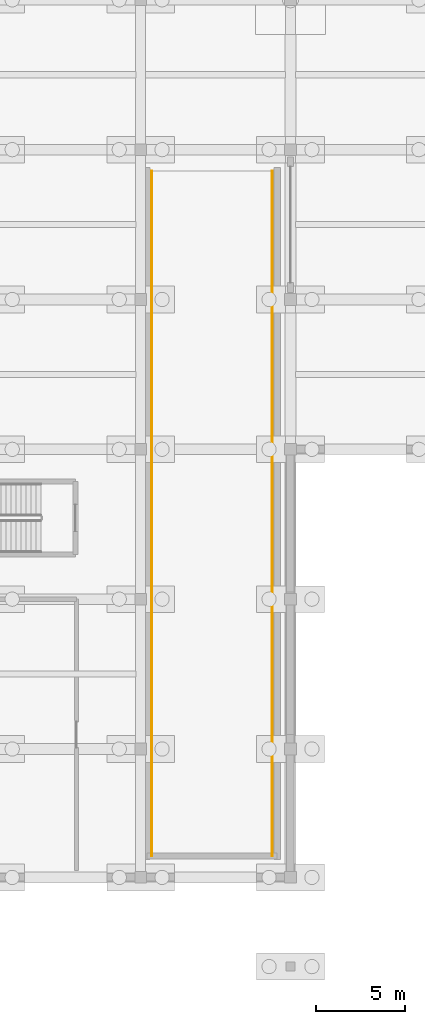
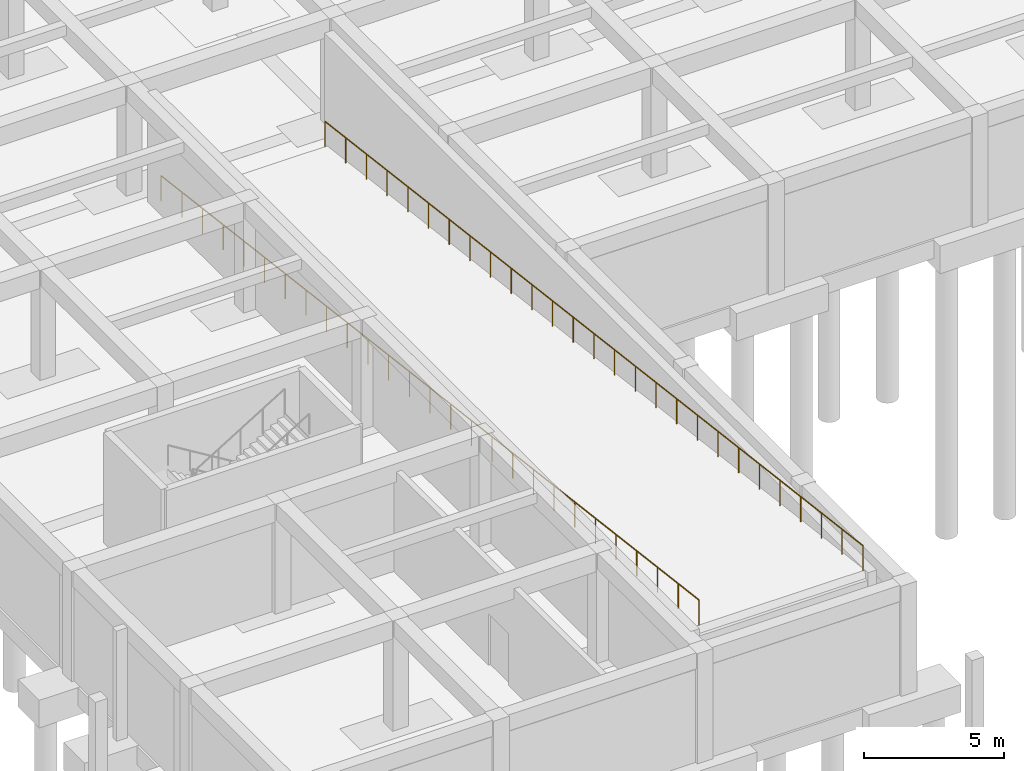
# One storey, part 35 of 51: 2 railings.
"""IFC4 building model written with IfcOpenShell, lengths in metres."""

from ifc_helpers import new_model, si_unit, direction, frame, origin, origin_2d, place, context, subcontext, project, spatial, circle, extrude, material, type_object, element, save


model = new_model("IFC4")

# Units and contexts
model_context = context("Model", 3, precision=1e-05, world=origin(), true_north=direction((0.0, 1.0)))
body_context = subcontext(model_context, "Body", "Model", "MODEL_VIEW")
ifc_project = project(units=[si_unit("LENGTHUNIT", "METRE"), si_unit("AREAUNIT", "SQUARE_METRE"), si_unit("VOLUMEUNIT", "CUBIC_METRE"), si_unit("PLANEANGLEUNIT", "RADIAN"), si_unit("MASSUNIT", "GRAM", prefix="KILO")], contexts=[model_context])

# Site, building, storey
site_placement = place(None, origin())
site = spatial("IfcSite", under=ifc_project, at=site_placement, CompositionType="ELEMENT")
building_placement = place(site_placement, origin())
building = spatial("IfcBuilding", under=site, at=building_placement, Name="Varncliffe General Hospital", CompositionType="ELEMENT")
storey_placement = place(building_placement, frame((0.0, 0.0, -4.800048828125)))
storey = spatial("IfcBuildingStorey", under=building, at=storey_placement, Name="B1", CompositionType="ELEMENT", Elevation=-4.800048828125)

# Railings
ifc_material = material(Name="Powder-coated hospital steel guardrail and handrail", Category="steel")
railing_type = type_object("IfcRailingType", Name="Stairwell Guardrail SG49", PredefinedType="GUARDRAIL", material=ifc_material)
railing_1_placement = place(storey_placement, frame((17.419921875, 39.60009765625, 0.0)))
element("IfcRailing", 1, at=railing_1_placement, inside=storey, type_object=railing_type, Name="B1 Vehicle Ramp West Wheel-Guard Rail", PredefinedType="GUARDRAIL", context=body_context, shape_type="SweptSolid", body=[
    extrude(circle(Radius=0.02392578125, at=origin_2d()), frame((0.0, 0.0, 1.09619140625), z_axis=(0.0, -0.992277779656, 0.124035511046), x_axis=(1.0, 0.0, 0.0)), (0.0, 0.0, 1.0), 38.698974609375),
    extrude(circle(Radius=0.02099609375, at=origin_2d()), origin(), (0.0, 0.0, 1.0), 1.072021484375),
    extrude(circle(Radius=0.02099609375, at=origin_2d()), frame((0.0, -1.47705078125, 0.1845703125)), (0.0, 0.0, 1.0), 1.072021484375),
    extrude(circle(Radius=0.02099609375, at=origin_2d()), frame((0.0, -2.953857421875, 0.369140625)), (0.0, 0.0, 1.0), 1.072021484375),
    extrude(circle(Radius=0.02099609375, at=origin_2d()), frame((0.0, -4.4306640625, 0.553955078125)), (0.0, 0.0, 1.0), 1.072021484375),
    extrude(circle(Radius=0.02099609375, at=origin_2d()), frame((0.0, -5.90771484375, 0.738525390625)), (0.0, 0.0, 1.0), 1.072021484375),
    extrude(circle(Radius=0.02099609375, at=origin_2d()), frame((0.0, -7.384765625, 0.923095703125)), (0.0, 0.0, 1.0), 1.072021484375),
    extrude(circle(Radius=0.02099609375, at=origin_2d()), frame((0.0, -8.861572265625, 1.107666015625)), (0.0, 0.0, 1.0), 1.072021484375),
    extrude(circle(Radius=0.02099609375, at=origin_2d()), frame((0.0, -10.33837890625, 1.292236328125)), (0.0, 0.0, 1.0), 1.072021484375),
    extrude(circle(Radius=0.02099609375, at=origin_2d()), frame((0.0, -11.8154296875, 1.47705078125)), (0.0, 0.0, 1.0), 1.072021484375),
    extrude(circle(Radius=0.02099609375, at=origin_2d()), frame((0.0, -13.29248046875, 1.66162109375)), (0.0, 0.0, 1.0), 1.072021484375),
    extrude(circle(Radius=0.02099609375, at=origin_2d()), frame((0.0, -14.769287109375, 1.84619140625)), (0.0, 0.0, 1.0), 1.072021484375),
    extrude(circle(Radius=0.02099609375, at=origin_2d()), frame((0.0, -16.24609375, 2.03076171875)), (0.0, 0.0, 1.0), 1.072021484375),
    extrude(circle(Radius=0.02099609375, at=origin_2d()), frame((0.0, -17.72314453125, 2.21533203125)), (0.0, 0.0, 1.0), 1.072021484375),
    extrude(circle(Radius=0.02099609375, at=origin_2d()), frame((0.0, -19.2001953125, 2.39990234375)), (0.0, 0.0, 1.0), 1.072021484375),
    extrude(circle(Radius=0.02099609375, at=origin_2d()), frame((0.0, -20.677001953125, 2.584716796875)), (0.0, 0.0, 1.0), 1.072021484375),
    extrude(circle(Radius=0.02099609375, at=origin_2d()), frame((0.0, -22.15380859375, 2.769287109375)), (0.0, 0.0, 1.0), 1.072021484375),
    extrude(circle(Radius=0.02099609375, at=origin_2d()), frame((0.0, -23.630859375, 2.953857421875)), (0.0, 0.0, 1.0), 1.072021484375),
    extrude(circle(Radius=0.02099609375, at=origin_2d()), frame((0.0, -25.10791015625, 3.138427734375)), (0.0, 0.0, 1.0), 1.072021484375),
    extrude(circle(Radius=0.02099609375, at=origin_2d()), frame((0.0, -26.584716796875, 3.322998046875)), (0.0, 0.0, 1.0), 1.072021484375),
    extrude(circle(Radius=0.02099609375, at=origin_2d()), frame((0.0, -28.0615234375, 3.5078125)), (0.0, 0.0, 1.0), 1.072021484375),
    extrude(circle(Radius=0.02099609375, at=origin_2d()), frame((0.0, -29.53857421875, 3.6923828125)), (0.0, 0.0, 1.0), 1.072021484375),
    extrude(circle(Radius=0.02099609375, at=origin_2d()), frame((0.0, -31.015625, 3.876953125)), (0.0, 0.0, 1.0), 1.072021484375),
    extrude(circle(Radius=0.02099609375, at=origin_2d()), frame((0.0, -32.492431640625, 4.0615234375)), (0.0, 0.0, 1.0), 1.072021484375),
    extrude(circle(Radius=0.02099609375, at=origin_2d()), frame((0.0, -33.96923828125, 4.24609375)), (0.0, 0.0, 1.0), 1.072021484375),
    extrude(circle(Radius=0.02099609375, at=origin_2d()), frame((0.0, -35.4462890625, 4.430908203125)), (0.0, 0.0, 1.0), 1.072021484375),
    extrude(circle(Radius=0.02099609375, at=origin_2d()), frame((0.0, -36.92333984375, 4.615478515625)), (0.0, 0.0, 1.0), 1.072021484375),
    extrude(circle(Radius=0.02099609375, at=origin_2d()), frame((0.0, -38.400146484375, 4.800048828125)), (0.0, 0.0, 1.0), 1.072021484375),
])
railing_2_placement = place(storey_placement, frame((24.179931640625, 39.60009765625, 0.0)))
element("IfcRailing", 2, at=railing_2_placement, inside=storey, type_object=railing_type, Name="B1 Vehicle Ramp East Wheel-Guard Rail", PredefinedType="GUARDRAIL", context=body_context, shape_type="SweptSolid", body=[
    extrude(circle(Radius=0.02392578125, at=origin_2d()), frame((0.0, 0.0, 1.09619140625), z_axis=(0.0, -0.992277779656, 0.124035511046), x_axis=(1.0, 0.0, 0.0)), (0.0, 0.0, 1.0), 38.698974609375),
    extrude(circle(Radius=0.02099609375, at=origin_2d()), origin(), (0.0, 0.0, 1.0), 1.072021484375),
    extrude(circle(Radius=0.02099609375, at=origin_2d()), frame((0.0, -1.47705078125, 0.1845703125)), (0.0, 0.0, 1.0), 1.072021484375),
    extrude(circle(Radius=0.02099609375, at=origin_2d()), frame((0.0, -2.953857421875, 0.369140625)), (0.0, 0.0, 1.0), 1.072021484375),
    extrude(circle(Radius=0.02099609375, at=origin_2d()), frame((0.0, -4.4306640625, 0.553955078125)), (0.0, 0.0, 1.0), 1.072021484375),
    extrude(circle(Radius=0.02099609375, at=origin_2d()), frame((0.0, -5.90771484375, 0.738525390625)), (0.0, 0.0, 1.0), 1.072021484375),
    extrude(circle(Radius=0.02099609375, at=origin_2d()), frame((0.0, -7.384765625, 0.923095703125)), (0.0, 0.0, 1.0), 1.072021484375),
    extrude(circle(Radius=0.02099609375, at=origin_2d()), frame((0.0, -8.861572265625, 1.107666015625)), (0.0, 0.0, 1.0), 1.072021484375),
    extrude(circle(Radius=0.02099609375, at=origin_2d()), frame((0.0, -10.33837890625, 1.292236328125)), (0.0, 0.0, 1.0), 1.072021484375),
    extrude(circle(Radius=0.02099609375, at=origin_2d()), frame((0.0, -11.8154296875, 1.47705078125)), (0.0, 0.0, 1.0), 1.072021484375),
    extrude(circle(Radius=0.02099609375, at=origin_2d()), frame((0.0, -13.29248046875, 1.66162109375)), (0.0, 0.0, 1.0), 1.072021484375),
    extrude(circle(Radius=0.02099609375, at=origin_2d()), frame((0.0, -14.769287109375, 1.84619140625)), (0.0, 0.0, 1.0), 1.072021484375),
    extrude(circle(Radius=0.02099609375, at=origin_2d()), frame((0.0, -16.24609375, 2.03076171875)), (0.0, 0.0, 1.0), 1.072021484375),
    extrude(circle(Radius=0.02099609375, at=origin_2d()), frame((0.0, -17.72314453125, 2.21533203125)), (0.0, 0.0, 1.0), 1.072021484375),
    extrude(circle(Radius=0.02099609375, at=origin_2d()), frame((0.0, -19.2001953125, 2.39990234375)), (0.0, 0.0, 1.0), 1.072021484375),
    extrude(circle(Radius=0.02099609375, at=origin_2d()), frame((0.0, -20.677001953125, 2.584716796875)), (0.0, 0.0, 1.0), 1.072021484375),
    extrude(circle(Radius=0.02099609375, at=origin_2d()), frame((0.0, -22.15380859375, 2.769287109375)), (0.0, 0.0, 1.0), 1.072021484375),
    extrude(circle(Radius=0.02099609375, at=origin_2d()), frame((0.0, -23.630859375, 2.953857421875)), (0.0, 0.0, 1.0), 1.072021484375),
    extrude(circle(Radius=0.02099609375, at=origin_2d()), frame((0.0, -25.10791015625, 3.138427734375)), (0.0, 0.0, 1.0), 1.072021484375),
    extrude(circle(Radius=0.02099609375, at=origin_2d()), frame((0.0, -26.584716796875, 3.322998046875)), (0.0, 0.0, 1.0), 1.072021484375),
    extrude(circle(Radius=0.02099609375, at=origin_2d()), frame((0.0, -28.0615234375, 3.5078125)), (0.0, 0.0, 1.0), 1.072021484375),
    extrude(circle(Radius=0.02099609375, at=origin_2d()), frame((0.0, -29.53857421875, 3.6923828125)), (0.0, 0.0, 1.0), 1.072021484375),
    extrude(circle(Radius=0.02099609375, at=origin_2d()), frame((0.0, -31.015625, 3.876953125)), (0.0, 0.0, 1.0), 1.072021484375),
    extrude(circle(Radius=0.02099609375, at=origin_2d()), frame((0.0, -32.492431640625, 4.0615234375)), (0.0, 0.0, 1.0), 1.072021484375),
    extrude(circle(Radius=0.02099609375, at=origin_2d()), frame((0.0, -33.96923828125, 4.24609375)), (0.0, 0.0, 1.0), 1.072021484375),
    extrude(circle(Radius=0.02099609375, at=origin_2d()), frame((0.0, -35.4462890625, 4.430908203125)), (0.0, 0.0, 1.0), 1.072021484375),
    extrude(circle(Radius=0.02099609375, at=origin_2d()), frame((0.0, -36.92333984375, 4.615478515625)), (0.0, 0.0, 1.0), 1.072021484375),
    extrude(circle(Radius=0.02099609375, at=origin_2d()), frame((0.0, -38.400146484375, 4.800048828125)), (0.0, 0.0, 1.0), 1.072021484375),
])

save(model, "model.ifc")
